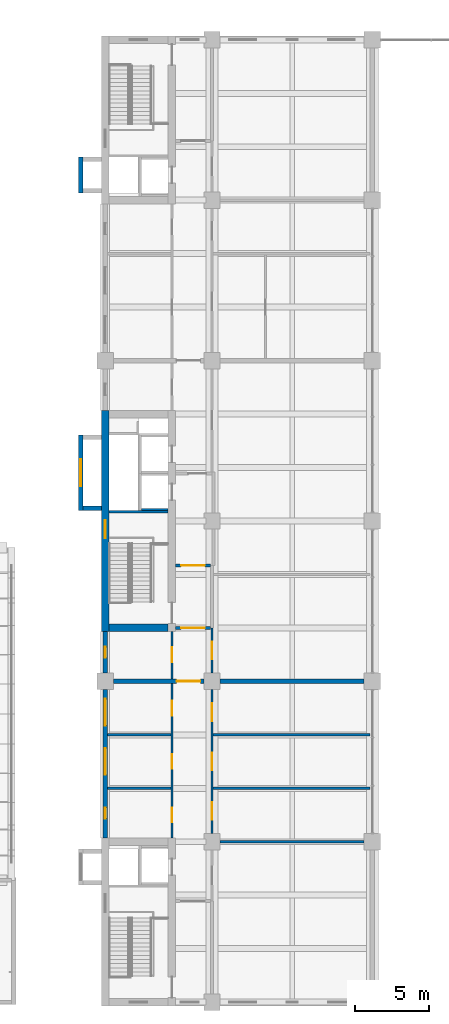
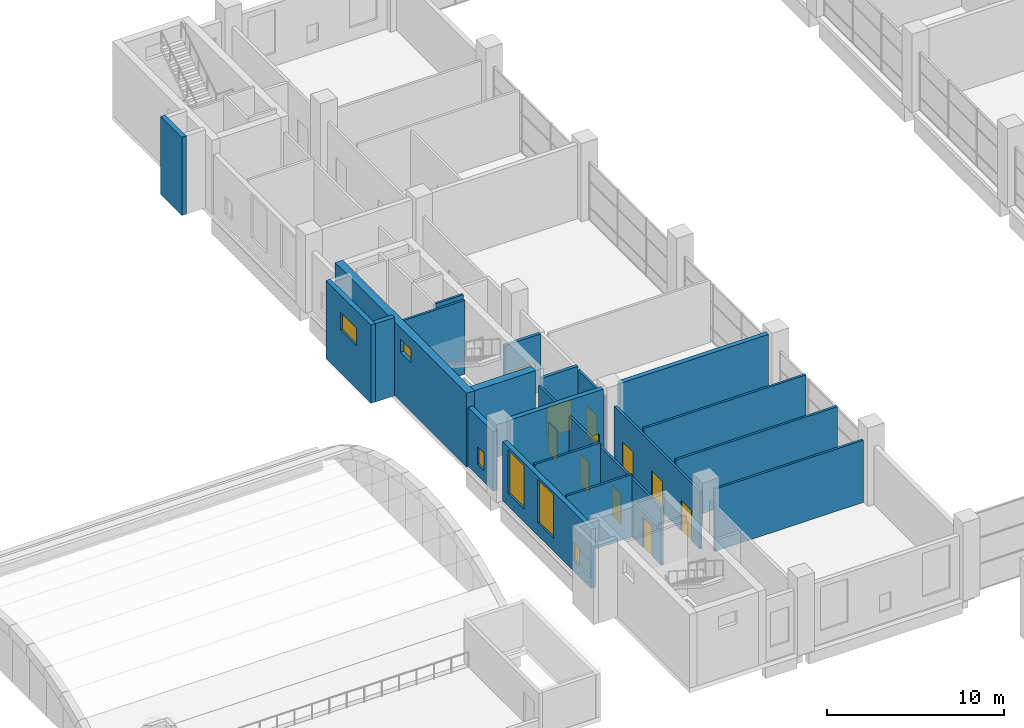
# One storey, part 17 of 32: 22 walls, 11 doors, 6 windows, 17 openings.
"""IFC4 building model written with IfcOpenShell, lengths in metres."""

from ifc_helpers import new_model, si_unit, direction, frame, frame_2d, origin, place, context, subcontext, project, spatial, rectangle, extrude, material, layer, layer_set, type_object, element, fill, save


model = new_model("IFC4")

# Units and contexts
model_context = context("Model", 3, precision=1e-05, world=origin(), true_north=direction((0.0, 1.0)))
body_context = subcontext(model_context, "Body", "Model", "MODEL_VIEW")
ifc_project = project(units=[si_unit("LENGTHUNIT", "METRE"), si_unit("AREAUNIT", "SQUARE_METRE"), si_unit("VOLUMEUNIT", "CUBIC_METRE"), si_unit("PLANEANGLEUNIT", "RADIAN"), si_unit("MASSUNIT", "GRAM", prefix="KILO")], contexts=[model_context])

# Site, building, storey
site_placement = place(None, origin())
site = spatial("IfcSite", under=ifc_project, at=site_placement, CompositionType="ELEMENT")
building_placement = place(site_placement, origin())
building = spatial("IfcBuilding", under=site, at=building_placement, Name="Basin Gate Institute", CompositionType="ELEMENT")
storey_placement = place(building_placement, frame((0.0, 0.0, 11.39990234375)))
storey = spatial("IfcBuildingStorey", under=building, at=storey_placement, Name="L02", CompositionType="ELEMENT", Elevation=11.39990234375)

# Wall, opening, door
ifc_material_1 = material(Name="Fire-rated masonry", Category="masonry")
ifc_layer_1 = layer(ifc_material_1, 0.199951171875)
ifc_layer_set_1 = layer_set([ifc_layer_1], Name="Enclosure wall PW2 200 EI 60")
wall_type_1 = type_object("IfcWallType", Name="Enclosure wall PW2 200 EI 60", PredefinedType="PARTITIONING", material=ifc_layer_set_1)
wall_1_placement = place(storey_placement, frame((65.949951171875, 60.300048828125, 0.0), z_axis=(0.0, 0.0, 1.0), x_axis=(1.0, 0.0, 0.0)))
wall_1 = element("IfcWall", 1, at=wall_1_placement, inside=storey, type_object=wall_type_1, material=ifc_layer_set_1, Name="Smoke lobby enclosure wall PW2 L02", PredefinedType="PARTITIONING", context=body_context, shape_type="SweptSolid", body=[
    extrude(rectangle(XDim=2.35009765625, YDim=0.199951171875, at=frame_2d((1.175048828125, 0.0))), origin(), (0.0, 0.0, 1.0), 4.300048828125),
])
opening_1_placement = place(wall_1_placement, frame((0.375, 0.0, 0.0)))
opening_1 = element("IfcOpeningElement", 2, at=opening_1_placement, cuts=wall_1, Name="Opening DR143", PredefinedType="OPENING", context=body_context, shape_type="SweptSolid", body=[
    extrude(rectangle(XDim=1.60009765625, YDim=2.10009765625, at=frame_2d((0.800048828125, 1.050048828125))), frame((0.0, 0.10986328125, 0.0), z_axis=(0.0, -1.0, 0.0), x_axis=(1.0, 0.0, 0.0)), (0.0, 0.0, 1.0), 0.219970703125),
])
ifc_material_2 = material(Name="Steel fire door", Category="steel")
door_type_1 = type_object("IfcDoorType", Name="FD60 Smoke lobby door pair D8", OperationType="DOUBLE_DOOR_SINGLE_SWING", PredefinedType="DOOR", material=ifc_material_2)
door_1_placement = place(opening_1_placement, origin())
door_1 = element("IfcDoor", 3, at=door_1_placement, inside=storey, type_object=door_type_1, material=ifc_material_2, Name="Smoke lobby door SS2 L02", OperationType="DOUBLE_DOOR_SINGLE_SWING", OverallHeight=2.10009765625, OverallWidth=1.60009765625, PredefinedType="DOOR", context=body_context, shape_type="SweptSolid", body=[
    extrude(rectangle(XDim=1.60009765625, YDim=2.10009765625, at=frame_2d((0.800048828125, 1.050048828125))), frame((0.0, 0.02490234375, 0.0), z_axis=(0.0, -1.0, 0.0), x_axis=(1.0, 0.0, 0.0)), (0.0, 0.0, 1.0), 0.050048828125),
])
fill(opening_1, door_1)

wall_2_placement = place(storey_placement, frame((65.949951171875, 64.5, 0.0), z_axis=(0.0, 0.0, 1.0), x_axis=(1.0, 0.0, 0.0)))
wall_2 = element("IfcWall", 4, at=wall_2_placement, inside=storey, type_object=wall_type_1, material=ifc_layer_set_1, Name="Smoke lobby enclosure wall PW2 L02", PredefinedType="PARTITIONING", context=body_context, shape_type="SweptSolid", body=[
    extrude(rectangle(XDim=2.35009765625, YDim=0.199951171875, at=frame_2d((1.175048828125, 0.0))), origin(), (0.0, 0.0, 1.0), 4.0),
])
opening_2_placement = place(wall_2_placement, frame((0.375, 0.0, 0.0)))
opening_2 = element("IfcOpeningElement", 5, at=opening_2_placement, cuts=wall_2, Name="Opening DR144", PredefinedType="OPENING", context=body_context, shape_type="SweptSolid", body=[
    extrude(rectangle(XDim=1.60009765625, YDim=2.10009765625, at=frame_2d((0.800048828125, 1.050048828125))), frame((0.0, 0.10986328125, 0.0), z_axis=(0.0, -1.0, 0.0), x_axis=(1.0, 0.0, 0.0)), (0.0, 0.0, 1.0), 0.219970703125),
])
door_2_placement = place(opening_2_placement, frame((1.60009765625, 0.0, 0.0), z_axis=(0.0, 0.0, 1.0), x_axis=(-1.0, 0.0, 0.0)))
door_2 = element("IfcDoor", 6, at=door_2_placement, inside=storey, type_object=door_type_1, material=ifc_material_2, Name="Smoke lobby door SS2 L02", OperationType="DOUBLE_DOOR_SINGLE_SWING", OverallHeight=2.10009765625, OverallWidth=1.60009765625, PredefinedType="DOOR", context=body_context, shape_type="SweptSolid", body=[
    extrude(rectangle(XDim=1.60009765625, YDim=2.10009765625, at=frame_2d((0.800048828125, 1.050048828125))), frame((0.0, 0.02490234375, 0.0), z_axis=(0.0, -1.0, 0.0), x_axis=(1.0, 0.0, 0.0)), (0.0, 0.0, 1.0), 0.050048828125),
])
fill(opening_2, door_2)

# Wall, openings, windows
ifc_material_3 = material(Name="Aluminium-faced insulated panel wall", Category="aluminium")
ifc_layer_2 = layer(ifc_material_3, 0.300048828125)
ifc_layer_set_2 = layer_set([ifc_layer_2], Name="External wall EW1 EI 120")
wall_type_2 = type_object("IfcWallType", Name="External wall EW1 EI 120", PredefinedType="STANDARD", material=ifc_layer_set_2)
wall_3_placement = place(storey_placement, frame((61.199951171875, 46.14990234375, 0.0), z_axis=(0.0, 0.0, 1.0), x_axis=(0.0, 1.0, 0.0)))
wall_3 = element("IfcWall", 7, at=wall_3_placement, inside=storey, type_object=wall_type_2, material=ifc_layer_set_2, Name="External wall W facade L02 1", PredefinedType="STANDARD", context=body_context, shape_type="SweptSolid", body=[
    extrude(rectangle(XDim=10.0, YDim=0.300048828125, at=frame_2d((5.0, 0.0))), origin(), (0.0, 0.0, 1.0), 4.10009765625),
])
opening_3_placement = place(wall_3_placement, frame((1.300048828125, 0.0, 0.800048828125)))
opening_3 = element("IfcOpeningElement", 8, at=opening_3_placement, cuts=wall_3, Name="Opening WN3", PredefinedType="OPENING", context=body_context, shape_type="SweptSolid", body=[
    extrude(rectangle(XDim=0.75, YDim=1.199951171875, at=frame_2d((0.375, 0.60009765625))), frame((0.0, 0.16015625, 0.0), z_axis=(0.0, -1.0, 0.0), x_axis=(1.0, 0.0, 0.0)), (0.0, 0.0, 1.0), 0.320068359375),
])
opening_4_placement = place(wall_3_placement, frame((4.25, 0.0, 0.89990234375)))
opening_4 = element("IfcOpeningElement", 9, at=opening_4_placement, cuts=wall_3, Name="Opening WN2", PredefinedType="OPENING", context=body_context, shape_type="SweptSolid", body=[
    extrude(rectangle(XDim=1.800048828125, YDim=3.0, at=frame_2d((0.89990234375, 1.5))), frame((0.0, 0.16015625, 0.0), z_axis=(0.0, -1.0, 0.0), x_axis=(1.0, 0.0, 0.0)), (0.0, 0.0, 1.0), 0.320068359375),
])
opening_5_placement = place(wall_3_placement, frame((7.574951171875, 0.0, 0.89990234375)))
opening_5 = element("IfcOpeningElement", 10, at=opening_5_placement, cuts=wall_3, Name="Opening WN2", PredefinedType="OPENING", context=body_context, shape_type="SweptSolid", body=[
    extrude(rectangle(XDim=1.800048828125, YDim=3.0, at=frame_2d((0.89990234375, 1.5))), frame((0.0, 0.16015625, 0.0), z_axis=(0.0, -1.0, 0.0), x_axis=(1.0, 0.0, 0.0)), (0.0, 0.0, 1.0), 0.320068359375),
])
ifc_material_4 = material(Name="Aluminium-framed double glazing", Category="aluminium")
window_type_1 = type_object("IfcWindowType", Name="Emergency entry panel WN3", PartitioningType="SINGLE_PANEL", PredefinedType="WINDOW", material=ifc_material_4)
window_1_placement = place(opening_3_placement, origin())
window_1 = element("IfcWindow", 11, at=window_1_placement, inside=storey, type_object=window_type_1, material=ifc_material_4, Name="Emergency entry panel W facade L02 bay 4", OverallHeight=1.199951171875, OverallWidth=0.75, PartitioningType="SINGLE_PANEL", PredefinedType="WINDOW", context=body_context, shape_type="SweptSolid", body=[
    extrude(rectangle(XDim=0.75, YDim=1.199951171875, at=frame_2d((0.375, 0.60009765625))), frame((0.0, 0.030029296875, 0.0), z_axis=(0.0, -1.0, 0.0), x_axis=(1.0, 0.0, 0.0)), (0.0, 0.0, 1.0), 0.06005859375),
])
fill(opening_3, window_1)
ifc_material_5 = material(Name="Aluminium-framed double glazing", Category="aluminium")
window_type_2 = type_object("IfcWindowType", Name="Podium window WN2", PartitioningType="SINGLE_PANEL", PredefinedType="WINDOW", material=ifc_material_5)
window_2_placement = place(opening_4_placement, origin())
window_2 = element("IfcWindow", 12, at=window_2_placement, inside=storey, type_object=window_type_2, material=ifc_material_5, Name="Podium window W facade L02 bay 5", OverallHeight=3.0, OverallWidth=1.800048828125, PartitioningType="SINGLE_PANEL", PredefinedType="WINDOW", context=body_context, shape_type="SweptSolid", body=[
    extrude(rectangle(XDim=1.800048828125, YDim=3.0, at=frame_2d((0.89990234375, 1.5))), frame((0.0, 0.030029296875, 0.0), z_axis=(0.0, -1.0, 0.0), x_axis=(1.0, 0.0, 0.0)), (0.0, 0.0, 1.0), 0.06005859375),
])
fill(opening_4, window_2)
window_3_placement = place(opening_5_placement, origin())
window_3 = element("IfcWindow", 13, at=window_3_placement, inside=storey, type_object=window_type_2, material=ifc_material_5, Name="Podium window W facade L02 bay 6", OverallHeight=3.0, OverallWidth=1.800048828125, PartitioningType="SINGLE_PANEL", PredefinedType="WINDOW", context=body_context, shape_type="SweptSolid", body=[
    extrude(rectangle(XDim=1.800048828125, YDim=3.0, at=frame_2d((0.89990234375, 1.5))), frame((0.0, 0.030029296875, 0.0), z_axis=(0.0, -1.0, 0.0), x_axis=(1.0, 0.0, 0.0)), (0.0, 0.0, 1.0), 0.06005859375),
])
fill(opening_5, window_3)

# Wall, opening, window
wall_4_placement = place(storey_placement, frame((61.199951171875, 57.25, 0.0), z_axis=(0.0, 0.0, 1.0), x_axis=(0.0, 1.0, 0.0)))
wall_4 = element("IfcWall", 14, at=wall_4_placement, inside=storey, type_object=wall_type_2, material=ifc_layer_set_2, Name="External wall W facade L02 2", PredefinedType="STANDARD", context=body_context, shape_type="SweptSolid", body=[
    extrude(rectangle(XDim=2.800048828125, YDim=0.300048828125, at=frame_2d((1.39990234375, 0.0))), origin(), (0.0, 0.0, 1.0), 4.10009765625),
])
opening_6_placement = place(wall_4_placement, frame((1.02490234375, 0.0, 0.800048828125)))
opening_6 = element("IfcOpeningElement", 15, at=opening_6_placement, cuts=wall_4, Name="Opening WN3", PredefinedType="OPENING", context=body_context, shape_type="SweptSolid", body=[
    extrude(rectangle(XDim=0.75, YDim=1.199951171875, at=frame_2d((0.375, 0.60009765625))), frame((0.0, 0.16015625, 0.0), z_axis=(0.0, -1.0, 0.0), x_axis=(1.0, 0.0, 0.0)), (0.0, 0.0, 1.0), 0.320068359375),
])
window_4_placement = place(opening_6_placement, origin())
window_4 = element("IfcWindow", 16, at=window_4_placement, inside=storey, type_object=window_type_1, material=ifc_material_4, Name="Emergency entry panel W facade L02 bay 7", OverallHeight=1.199951171875, OverallWidth=0.75, PartitioningType="SINGLE_PANEL", PredefinedType="WINDOW", context=body_context, shape_type="SweptSolid", body=[
    extrude(rectangle(XDim=0.75, YDim=1.199951171875, at=frame_2d((0.375, 0.60009765625))), frame((0.0, 0.030029296875, 0.0), z_axis=(0.0, -1.0, 0.0), x_axis=(1.0, 0.0, 0.0)), (0.0, 0.0, 1.0), 0.06005859375),
])
fill(opening_6, window_4)

# Wall, openings, doors
ifc_material_6 = material(Name="Gypsum board on steel stud", Category="steel")
ifc_layer_3 = layer(ifc_material_6, 0.14990234375)
ifc_layer_set_3 = layer_set([ifc_layer_3], Name="Gypsum board on steel stud")
wall_type_3 = type_object("IfcWallType", Name="Partition PW1 150 EI 60", PredefinedType="PARTITIONING", material=ifc_layer_set_3)
wall_5_placement = place(storey_placement, frame((65.699951171875, 46.14990234375, 0.0), z_axis=(0.0, 0.0, 1.0), x_axis=(0.0, 1.0, 0.0)))
wall_5 = element("IfcWall", 17, at=wall_5_placement, inside=storey, type_object=wall_type_3, material=ifc_layer_set_3, Name="Corridor wall PW1 L02", PredefinedType="PARTITIONING", context=body_context, shape_type="SweptSolid", body=[
    extrude(rectangle(XDim=10.400146484375, YDim=0.14990234375, at=frame_2d((5.2001953125, 0.0))), origin(), (0.0, 0.0, 1.0), 4.0),
])
opening_7_placement = place(wall_5_placement, frame((4.64990234375, 0.0, 0.0)))
opening_7 = element("IfcOpeningElement", 18, at=opening_7_placement, cuts=wall_5, Name="Opening DR125", PredefinedType="OPENING", context=body_context, shape_type="SweptSolid", body=[
    extrude(rectangle(XDim=1.0, YDim=2.10009765625, at=frame_2d((0.5, 1.050048828125))), frame((0.0, 0.0849609375, 0.0), z_axis=(0.0, -1.0, 0.0), x_axis=(1.0, 0.0, 0.0)), (0.0, 0.0, 1.0), 0.169921875),
])
opening_8_placement = place(wall_5_placement, frame((8.25, 0.0, 0.0)))
opening_8 = element("IfcOpeningElement", 19, at=opening_8_placement, cuts=wall_5, Name="Opening DR126", PredefinedType="OPENING", context=body_context, shape_type="SweptSolid", body=[
    extrude(rectangle(XDim=1.0, YDim=2.10009765625, at=frame_2d((0.5, 1.050048828125))), frame((0.0, 0.0849609375, 0.0), z_axis=(0.0, -1.0, 0.0), x_axis=(1.0, 0.0, 0.0)), (0.0, 0.0, 1.0), 0.169921875),
])
opening_9_placement = place(wall_5_placement, frame((1.050048828125, 0.0, 0.0)))
opening_9 = element("IfcOpeningElement", 20, at=opening_9_placement, cuts=wall_5, Name="Opening DR135", PredefinedType="OPENING", context=body_context, shape_type="SweptSolid", body=[
    extrude(rectangle(XDim=1.0, YDim=2.10009765625, at=frame_2d((0.5, 1.050048828125))), frame((0.0, 0.0849609375, 0.0), z_axis=(0.0, -1.0, 0.0), x_axis=(1.0, 0.0, 0.0)), (0.0, 0.0, 1.0), 0.169921875),
])
ifc_material_7 = material(Name="Timber fire door", Category="wood")
door_type_2 = type_object("IfcDoorType", Name="FD30 Office door D1", OperationType="NOTDEFINED", PredefinedType="DOOR", material=ifc_material_7)
door_3_placement = place(opening_9_placement, origin())
door_3 = element("IfcDoor", 21, at=door_3_placement, inside=storey, type_object=door_type_2, material=ifc_material_7, Name="Door to Write-up Office 0201 L02", OperationType="SINGLE_SWING_LEFT", OverallHeight=2.10009765625, OverallWidth=1.0, PredefinedType="DOOR", context=body_context, shape_type="SweptSolid", body=[
    extrude(rectangle(XDim=1.0, YDim=2.10009765625, at=frame_2d((0.5, 1.050048828125))), frame((0.0, 0.02490234375, 0.0), z_axis=(0.0, -1.0, 0.0), x_axis=(1.0, 0.0, 0.0)), (0.0, 0.0, 1.0), 0.050048828125),
])
fill(opening_9, door_3)
ifc_material_8 = material(Name="Steel fire door", Category="steel")
door_type_3 = type_object("IfcDoorType", Name="FD30 Store door D4", OperationType="NOTDEFINED", PredefinedType="DOOR", material=ifc_material_8)
door_4_placement = place(opening_8_placement, origin())
door_4 = element("IfcDoor", 22, at=door_4_placement, inside=storey, type_object=door_type_3, material=ifc_material_8, Name="Door to Cleaning Store L02", OperationType="SINGLE_SWING_RIGHT", OverallHeight=2.10009765625, OverallWidth=1.0, PredefinedType="DOOR", context=body_context, shape_type="SweptSolid", body=[
    extrude(rectangle(XDim=1.0, YDim=2.10009765625, at=frame_2d((0.5, 1.050048828125))), frame((0.0, 0.02490234375, 0.0), z_axis=(0.0, -1.0, 0.0), x_axis=(1.0, 0.0, 0.0)), (0.0, 0.0, 1.0), 0.050048828125),
])
fill(opening_8, door_4)
ifc_material_9 = material(Name="Timber fire door", Category="wood")
door_type_4 = type_object("IfcDoorType", Name="FD30 Toilet door D3", OperationType="NOTDEFINED", PredefinedType="DOOR", material=ifc_material_9)
door_5_placement = place(opening_7_placement, origin())
door_5 = element("IfcDoor", 23, at=door_5_placement, inside=storey, type_object=door_type_4, material=ifc_material_9, Name="Door to Accessible WC L02", OperationType="SINGLE_SWING_LEFT", OverallHeight=2.10009765625, OverallWidth=1.0, PredefinedType="DOOR", context=body_context, shape_type="SweptSolid", body=[
    extrude(rectangle(XDim=1.0, YDim=2.10009765625, at=frame_2d((0.5, 1.050048828125))), frame((0.0, 0.02490234375, 0.0), z_axis=(0.0, -1.0, 0.0), x_axis=(1.0, 0.0, 0.0)), (0.0, 0.0, 1.0), 0.050048828125),
])
fill(opening_7, door_5)

# Wall, opening, door
wall_6_placement = place(storey_placement, frame((65.699951171875, 56.85009765625, 0.0), z_axis=(0.0, 0.0, 1.0), x_axis=(0.0, 1.0, 0.0)))
wall_6 = element("IfcWall", 24, at=wall_6_placement, inside=storey, type_object=wall_type_3, material=ifc_layer_set_3, Name="Corridor wall PW1 L02", PredefinedType="PARTITIONING", context=body_context, shape_type="SweptSolid", body=[
    extrude(rectangle(XDim=3.199951171875, YDim=0.14990234375, at=frame_2d((1.60009765625, 0.0))), origin(), (0.0, 0.0, 1.0), 4.0),
])
opening_10_placement = place(wall_6_placement, frame((1.14990234375, 0.0, 0.0)))
opening_10 = element("IfcOpeningElement", 25, at=opening_10_placement, cuts=wall_6, Name="Opening DR128", PredefinedType="OPENING", context=body_context, shape_type="SweptSolid", body=[
    extrude(rectangle(XDim=1.0, YDim=2.10009765625, at=frame_2d((0.5, 1.050048828125))), frame((0.0, 0.0849609375, 0.0), z_axis=(0.0, -1.0, 0.0), x_axis=(1.0, 0.0, 0.0)), (0.0, 0.0, 1.0), 0.169921875),
])
door_6_placement = place(opening_10_placement, origin())
door_6 = element("IfcDoor", 26, at=door_6_placement, inside=storey, type_object=door_type_4, material=ifc_material_9, Name="Door to Female WC L02", OperationType="SINGLE_SWING_RIGHT", OverallHeight=2.10009765625, OverallWidth=1.0, PredefinedType="DOOR", context=body_context, shape_type="SweptSolid", body=[
    extrude(rectangle(XDim=1.0, YDim=2.10009765625, at=frame_2d((0.5, 1.050048828125))), frame((0.0, 0.02490234375, 0.0), z_axis=(0.0, -1.0, 0.0), x_axis=(1.0, 0.0, 0.0)), (0.0, 0.0, 1.0), 0.050048828125),
])
fill(opening_10, door_6)

# Wall, openings, doors
wall_7_placement = place(storey_placement, frame((68.39990234375, 46.449951171875, 0.0), z_axis=(0.0, 0.0, 1.0), x_axis=(0.0, 1.0, 0.0)))
wall_7 = element("IfcWall", 27, at=wall_7_placement, inside=storey, type_object=wall_type_3, material=ifc_layer_set_3, Name="Laboratory corridor wall PW1 L02", PredefinedType="PARTITIONING", context=body_context, shape_type="SweptSolid", body=[
    extrude(rectangle(XDim=9.699951171875, YDim=0.14990234375, at=frame_2d((4.85009765625, 0.0))), origin(), (0.0, 0.0, 1.0), 4.0),
])
opening_11_placement = place(wall_7_placement, frame((4.25, 0.0, 0.0)))
opening_11 = element("IfcOpeningElement", 28, at=opening_11_placement, cuts=wall_7, Name="Opening DR130", PredefinedType="OPENING", context=body_context, shape_type="SweptSolid", body=[
    extrude(rectangle(XDim=1.199951171875, YDim=2.10009765625, at=frame_2d((0.60009765625, 1.050048828125))), frame((0.0, 0.0849609375, 0.0), z_axis=(0.0, -1.0, 0.0), x_axis=(1.0, 0.0, 0.0)), (0.0, 0.0, 1.0), 0.169921875),
])
opening_12_placement = place(wall_7_placement, frame((0.925048828125, 0.0, 0.0)))
opening_12 = element("IfcOpeningElement", 29, at=opening_12_placement, cuts=wall_7, Name="Opening DR139", PredefinedType="OPENING", context=body_context, shape_type="SweptSolid", body=[
    extrude(rectangle(XDim=1.199951171875, YDim=2.10009765625, at=frame_2d((0.60009765625, 1.050048828125))), frame((0.0, 0.0849609375, 0.0), z_axis=(0.0, -1.0, 0.0), x_axis=(1.0, 0.0, 0.0)), (0.0, 0.0, 1.0), 0.169921875),
])
opening_13_placement = place(wall_7_placement, frame((7.574951171875, 0.0, 0.0)))
opening_13 = element("IfcOpeningElement", 30, at=opening_13_placement, cuts=wall_7, Name="Opening DR140", PredefinedType="OPENING", context=body_context, shape_type="SweptSolid", body=[
    extrude(rectangle(XDim=1.199951171875, YDim=2.10009765625, at=frame_2d((0.60009765625, 1.050048828125))), frame((0.0, 0.0849609375, 0.0), z_axis=(0.0, -1.0, 0.0), x_axis=(1.0, 0.0, 0.0)), (0.0, 0.0, 1.0), 0.169921875),
])
ifc_material_10 = material(Name="Timber fire door", Category="wood")
door_type_5 = type_object("IfcDoorType", Name="FD30 Laboratory door D2", OperationType="DOUBLE_DOOR_SINGLE_SWING", PredefinedType="DOOR", material=ifc_material_10)
door_7_placement = place(opening_11_placement, frame((1.199951171875, 0.0, 0.0), z_axis=(0.0, 0.0, 1.0), x_axis=(-1.0, 0.0, 0.0)))
door_7 = element("IfcDoor", 31, at=door_7_placement, inside=storey, type_object=door_type_5, material=ifc_material_10, Name="Door to Meeting Room 0218 L02", OperationType="DOUBLE_DOOR_SINGLE_SWING", OverallHeight=2.10009765625, OverallWidth=1.199951171875, PredefinedType="DOOR", context=body_context, shape_type="SweptSolid", body=[
    extrude(rectangle(XDim=1.199951171875, YDim=2.10009765625, at=frame_2d((0.60009765625, 1.050048828125))), frame((0.0, 0.02490234375, 0.0), z_axis=(0.0, -1.0, 0.0), x_axis=(1.0, 0.0, 0.0)), (0.0, 0.0, 1.0), 0.050048828125),
])
fill(opening_11, door_7)
door_8_placement = place(opening_12_placement, frame((1.199951171875, 0.0, 0.0), z_axis=(0.0, 0.0, 1.0), x_axis=(-1.0, 0.0, 0.0)))
door_8 = element("IfcDoor", 32, at=door_8_placement, inside=storey, type_object=door_type_5, material=ifc_material_10, Name="Door to Write-up Office 0217 L02", OperationType="DOUBLE_DOOR_SINGLE_SWING", OverallHeight=2.10009765625, OverallWidth=1.199951171875, PredefinedType="DOOR", context=body_context, shape_type="SweptSolid", body=[
    extrude(rectangle(XDim=1.199951171875, YDim=2.10009765625, at=frame_2d((0.60009765625, 1.050048828125))), frame((0.0, 0.02490234375, 0.0), z_axis=(0.0, -1.0, 0.0), x_axis=(1.0, 0.0, 0.0)), (0.0, 0.0, 1.0), 0.050048828125),
])
fill(opening_12, door_8)
door_9_placement = place(opening_13_placement, frame((1.199951171875, 0.0, 0.0), z_axis=(0.0, 0.0, 1.0), x_axis=(-1.0, 0.0, 0.0)))
door_9 = element("IfcDoor", 33, at=door_9_placement, inside=storey, type_object=door_type_5, material=ifc_material_10, Name="Door to Write-up Office 0219 L02", OperationType="DOUBLE_DOOR_SINGLE_SWING", OverallHeight=2.10009765625, OverallWidth=1.199951171875, PredefinedType="DOOR", context=body_context, shape_type="SweptSolid", body=[
    extrude(rectangle(XDim=1.199951171875, YDim=2.10009765625, at=frame_2d((0.60009765625, 1.050048828125))), frame((0.0, 0.02490234375, 0.0), z_axis=(0.0, -1.0, 0.0), x_axis=(1.0, 0.0, 0.0)), (0.0, 0.0, 1.0), 0.050048828125),
])
fill(opening_13, door_9)

# Wall, opening, door
wall_8_placement = place(storey_placement, frame((68.39990234375, 57.25, 0.0), z_axis=(0.0, 0.0, 1.0), x_axis=(0.0, 1.0, 0.0)))
wall_8 = element("IfcWall", 34, at=wall_8_placement, inside=storey, type_object=wall_type_3, material=ifc_layer_set_3, Name="Laboratory corridor wall PW1 L02", PredefinedType="PARTITIONING", context=body_context, shape_type="SweptSolid", body=[
    extrude(rectangle(XDim=3.050048828125, YDim=0.14990234375, at=frame_2d((1.52490234375, 0.0))), origin(), (0.0, 0.0, 1.0), 4.0),
])
opening_14_placement = place(wall_8_placement, frame((0.925048828125, 0.0, 0.0)))
opening_14 = element("IfcOpeningElement", 35, at=opening_14_placement, cuts=wall_8, Name="Opening DR133", PredefinedType="OPENING", context=body_context, shape_type="SweptSolid", body=[
    extrude(rectangle(XDim=1.199951171875, YDim=2.10009765625, at=frame_2d((0.60009765625, 1.050048828125))), frame((0.0, 0.0849609375, 0.0), z_axis=(0.0, -1.0, 0.0), x_axis=(1.0, 0.0, 0.0)), (0.0, 0.0, 1.0), 0.169921875),
])
door_10_placement = place(opening_14_placement, frame((1.199951171875, 0.0, 0.0), z_axis=(0.0, 0.0, 1.0), x_axis=(-1.0, 0.0, 0.0)))
door_10 = element("IfcDoor", 36, at=door_10_placement, inside=storey, type_object=door_type_5, material=ifc_material_10, Name="Door to Seminar Room 0220 L02", OperationType="DOUBLE_DOOR_SINGLE_SWING", OverallHeight=2.10009765625, OverallWidth=1.199951171875, PredefinedType="DOOR", context=body_context, shape_type="SweptSolid", body=[
    extrude(rectangle(XDim=1.199951171875, YDim=2.10009765625, at=frame_2d((0.60009765625, 1.050048828125))), frame((0.0, 0.02490234375, 0.0), z_axis=(0.0, -1.0, 0.0), x_axis=(1.0, 0.0, 0.0)), (0.0, 0.0, 1.0), 0.050048828125),
])
fill(opening_14, door_10)

# Walls
wall_9_placement = place(storey_placement, frame((68.949951171875, 45.89990234375, 0.0), z_axis=(0.0, 0.0, 1.0), x_axis=(1.0, 0.0, 0.0)))
element("IfcWall", 37, at=wall_9_placement, inside=storey, type_object=wall_type_3, material=ifc_layer_set_3, Name="Laboratory partition PW1 L02", PredefinedType="PARTITIONING", context=body_context, shape_type="SweptSolid", body=[
    extrude(rectangle(XDim=9.699951171875, YDim=0.14990234375, at=frame_2d((4.85009765625, 0.0))), origin(), (0.0, 0.0, 1.0), 4.300048828125),
])
for number, where, z_axis, x_axis, name in (
    (38, (68.47509765625, 49.5, 0.0), (0.0, 0.0, 1.0), (1.0, 0.0, 0.0), "Laboratory partition PW1 L02"),
    (39, (68.47509765625, 53.10009765625, 0.0), (0.0, 0.0, 1.0), (1.0, 0.0, 0.0), "Laboratory partition PW1 L02"),
):
    element("IfcWall", number, at=place(storey_placement, frame(where, z_axis=z_axis, x_axis=x_axis)), inside=storey, type_object=wall_type_3, material=ifc_layer_set_3, Name=name, PredefinedType="PARTITIONING", context=body_context, shape_type="SweptSolid", body=[
        extrude(rectangle(XDim=10.574951171875, YDim=0.14990234375, at=frame_2d((5.28759765625, 0.0))), origin(), (0.0, 0.0, 1.0), 4.300048828125),
    ])
ifc_material_11 = material(Name="Gypsum board on steel stud", Category="steel")
ifc_layer_4 = layer(ifc_material_11, 0.14990234375)
ifc_layer_set_4 = layer_set([ifc_layer_4], Name="Gypsum board on steel stud")
wall_type_4 = type_object("IfcWallType", Name="Partition PW4 150", PredefinedType="PARTITIONING", material=ifc_layer_set_4)
for number, where, z_axis, x_axis, name in (
    (40, (61.35009765625, 49.5, 0.0), (0.0, 0.0, 1.0), (1.0, 0.0, 0.0), "Toilet partition PW4 L02"),
    (41, (61.35009765625, 53.10009765625, 0.0), (0.0, 0.0, 1.0), (1.0, 0.0, 0.0), "Toilet partition PW4 L02"),
):
    element("IfcWall", number, at=place(storey_placement, frame(where, z_axis=z_axis, x_axis=x_axis)), inside=storey, type_object=wall_type_4, material=ifc_layer_set_4, Name=name, PredefinedType="PARTITIONING", context=body_context, shape_type="SweptSolid", body=[
        extrude(rectangle(XDim=4.27490234375, YDim=0.14990234375, at=frame_2d((2.137451171875, 0.0))), origin(), (0.0, 0.0, 1.0), 4.300048828125),
    ])
ifc_material_12 = material(Name="Concrete 40 MPa", Category="concrete")
ifc_layer_5 = layer(ifc_material_12, 0.14990234375)
ifc_layer_set_5 = layer_set([ifc_layer_5], Name="Concrete 40 MPa")
wall_type_5 = type_object("IfcWallType", Name="Wall LS1 lift shaft enclosure R180", PredefinedType="SOLIDWALL", material=ifc_layer_set_5)
wall_10_placement = place(storey_placement, frame((63.64990234375, 68.27490234375, 0.0), z_axis=(0.0, 0.0, 1.0), x_axis=(1.0, 0.0, 0.0)))
element("IfcWall", 42, at=wall_10_placement, inside=storey, type_object=wall_type_5, material=ifc_layer_set_5, Name="Lift shaft enclosure LF1 L02 RL", PredefinedType="SOLIDWALL", context=body_context, shape_type="SweptSolid", body=[
    extrude(rectangle(XDim=1.800048828125, YDim=0.14990234375, at=frame_2d((0.89990234375, 0.0))), origin(), (0.0, 0.0, 1.0), 5.400146484375),
])
ifc_material_13 = material(Name="Concrete 40 MPa", Category="concrete")
ifc_layer_6 = layer(ifc_material_13, 0.14990234375)
ifc_layer_set_6 = layer_set([ifc_layer_6], Name="Concrete 40 MPa")
wall_type_6 = type_object("IfcWallType", Name="Wall SE1 stair enclosure R180", PredefinedType="SOLIDWALL", material=ifc_layer_set_6)
wall_11_placement = place(storey_placement, frame((61.449951171875, 68.125, 0.0), z_axis=(0.0, 0.0, 1.0), x_axis=(1.0, 0.0, 0.0)))
element("IfcWall", 43, at=wall_11_placement, inside=storey, type_object=wall_type_6, material=ifc_layer_set_6, Name="Stair enclosure wall ST-WM L02", PredefinedType="SOLIDWALL", context=body_context, shape_type="SweptSolid", body=[
    extrude(rectangle(XDim=4.0, YDim=0.14990234375, at=frame_2d((2.0, 0.0))), origin(), (0.0, 0.0, 1.0), 5.10009765625),
])

# Wall, opening, window
ifc_material_14 = material(Name="Concrete 50 MPa", Category="concrete")
ifc_layer_7 = layer(ifc_material_14, 0.300048828125)
ifc_layer_set_7 = layer_set([ifc_layer_7], Name="Concrete 50 MPa")
wall_type_7 = type_object("IfcWallType", Name="Wall SK1 R180", PredefinedType="SHEAR", material=ifc_layer_set_7)
wall_12_placement = place(storey_placement, frame((59.550048828125, 68.199951171875, 0.0), z_axis=(0.0, 0.0, 1.0), x_axis=(0.0, 1.0, 0.0)))
wall_12 = element("IfcWall", 44, at=wall_12_placement, inside=storey, type_object=wall_type_7, material=ifc_layer_set_7, Name="Spine riser stack wall SK1 WM F L02", PredefinedType="SHEAR", context=body_context, shape_type="SweptSolid", body=[
    extrude(rectangle(XDim=5.10009765625, YDim=0.300048828125, at=frame_2d((2.550048828125, 0.0))), origin(), (0.0, 0.0, 1.0), 5.400146484375),
])
opening_15_placement = place(wall_12_placement, frame((1.64990234375, 0.0, 3.0)))
opening_15 = element("IfcOpeningElement", 45, at=opening_15_placement, cuts=wall_12, Name="Opening WL1", PredefinedType="OPENING", context=body_context, shape_type="SweptSolid", body=[
    extrude(rectangle(XDim=1.800048828125, YDim=1.199951171875, at=frame_2d((0.89990234375, 0.60009765625))), frame((0.0, 0.16015625, 0.0), z_axis=(0.0, -1.0, 0.0), x_axis=(1.0, 0.0, 0.0)), (0.0, 0.0, 1.0), 0.320068359375),
])
ifc_material_15 = material(Name="Aluminium louvre blades with fire damper", Category="aluminium")
window_type_3 = type_object("IfcWindowType", Name="Riser louvre EI 180 WL1", PartitioningType="SINGLE_PANEL", PredefinedType="WINDOW", material=ifc_material_15)
window_5_placement = place(opening_15_placement, origin())
window_5 = element("IfcWindow", 46, at=window_5_placement, inside=storey, type_object=window_type_3, material=ifc_material_15, Name="Riser louvre EI 180 WM riser 1 L02", OverallHeight=1.199951171875, OverallWidth=1.800048828125, PartitioningType="SINGLE_PANEL", PredefinedType="WINDOW", context=body_context, shape_type="SweptSolid", body=[
    extrude(rectangle(XDim=1.800048828125, YDim=1.199951171875, at=frame_2d((0.89990234375, 0.60009765625))), frame((0.0, 0.030029296875, 0.0), z_axis=(0.0, -1.0, 0.0), x_axis=(1.0, 0.0, 0.0)), (0.0, 0.0, 1.0), 0.06005859375),
])
fill(opening_15, window_5)

# Walls
wall_13_placement = place(storey_placement, frame((60.949951171875, 68.35009765625, 0.0), z_axis=(0.0, 0.0, 1.0), x_axis=(-1.0, 0.0, 0.0)))
element("IfcWall", 47, at=wall_13_placement, inside=storey, type_object=wall_type_7, material=ifc_layer_set_7, Name="Spine riser stack wall SK1 WM A L02", PredefinedType="SHEAR", context=body_context, shape_type="SweptSolid", body=[
    extrude(rectangle(XDim=1.25, YDim=0.300048828125, at=frame_2d((0.625, 0.0))), origin(), (0.0, 0.0, 1.0), 5.400146484375),
])
wall_14_placement = place(storey_placement, frame((59.550048828125, 89.60009765625, 0.0), z_axis=(0.0, 0.0, 1.0), x_axis=(0.0, 1.0, 0.0)))
element("IfcWall", 48, at=wall_14_placement, inside=storey, type_object=wall_type_7, material=ifc_layer_set_7, Name="Spine riser stack wall SK1 WN F L02", PredefinedType="SHEAR", context=body_context, shape_type="SweptSolid", body=[
    extrude(rectangle(XDim=2.39990234375, YDim=0.300048828125, at=frame_2d((1.199951171875, 0.0))), origin(), (0.0, 0.0, 1.0), 5.400146484375),
])

# Wall, opening, window
ifc_material_16 = material(Name="Concrete 60 MPa", Category="concrete")
ifc_layer_8 = layer(ifc_material_16, 0.5)
ifc_layer_set_8 = layer_set([ifc_layer_8], Name="Concrete 60 MPa")
wall_type_8 = type_object("IfcWallType", Name="Wall SW1 R180", PredefinedType="SHEAR", material=ifc_layer_set_8)
wall_15_placement = place(storey_placement, frame((61.199951171875, 60.050048828125, 0.0), z_axis=(0.0, 0.0, 1.0), x_axis=(0.0, 1.0, 0.0)))
wall_15 = element("IfcWall", 49, at=wall_15_placement, inside=storey, type_object=wall_type_8, material=ifc_layer_set_8, Name="WALL/L02/WM/L", PredefinedType="SHEAR", context=body_context, shape_type="SweptSolid", body=[
    extrude(rectangle(XDim=14.89990234375, YDim=0.5, at=frame_2d((7.449951171875, 0.0))), origin(), (0.0, 0.0, 1.0), 5.10009765625),
])
opening_16_placement = place(wall_15_placement, frame((6.300048828125, 0.0, 3.39990234375)))
opening_16 = element("IfcOpeningElement", 50, at=opening_16_placement, cuts=wall_15, Name="Opening WT1", PredefinedType="OPENING", context=body_context, shape_type="SweptSolid", body=[
    extrude(rectangle(XDim=1.199951171875, YDim=0.89990234375, at=frame_2d((0.60009765625, 0.449951171875))), frame((0.0, 0.260009765625, 0.0), z_axis=(0.0, -1.0, 0.0), x_axis=(1.0, 0.0, 0.0)), (0.0, 0.0, 1.0), 0.52001953125),
])
ifc_material_17 = material(Name="Fire-resistant glazing in steel-free frame", Category="steel")
window_type_4 = type_object("IfcWindowType", Name="Rated stair window EI 180 WT1", PartitioningType="SINGLE_PANEL", PredefinedType="WINDOW", material=ifc_material_17)
window_6_placement = place(opening_16_placement, origin())
window_6 = element("IfcWindow", 51, at=window_6_placement, inside=storey, type_object=window_type_4, material=ifc_material_17, Name="Rated stair window EI 180 WM landing L02", OverallHeight=0.89990234375, OverallWidth=1.199951171875, PartitioningType="SINGLE_PANEL", PredefinedType="WINDOW", context=body_context, shape_type="SweptSolid", body=[
    extrude(rectangle(XDim=1.199951171875, YDim=0.89990234375, at=frame_2d((0.60009765625, 0.449951171875))), frame((0.0, 0.030029296875, 0.0), z_axis=(0.0, -1.0, 0.0), x_axis=(1.0, 0.0, 0.0)), (0.0, 0.0, 1.0), 0.06005859375),
])
fill(opening_16, window_6)

# Wall
wall_16_placement = place(storey_placement, frame((61.449951171875, 60.300048828125, 0.0), z_axis=(0.0, 0.0, 1.0), x_axis=(1.0, 0.0, 0.0)))
element("IfcWall", 52, at=wall_16_placement, inside=storey, type_object=wall_type_8, material=ifc_layer_set_8, Name="WALL/L02/WM/S", PredefinedType="SHEAR", context=body_context, shape_type="SweptSolid", body=[
    extrude(rectangle(XDim=4.0, YDim=0.5, at=frame_2d((2.0, 0.0))), origin(), (0.0, 0.0, 1.0), 5.10009765625),
])

# Wall, opening, door
ifc_material_18 = material(Name="Concrete 50 MPa", Category="concrete")
ifc_layer_9 = layer(ifc_material_18, 0.300048828125)
ifc_layer_set_9 = layer_set([ifc_layer_9], Name="Concrete 50 MPa")
wall_type_9 = type_object("IfcWallType", Name="Wall XW1 R180", PredefinedType="SHEAR", material=ifc_layer_set_9)
wall_17_placement = place(storey_placement, frame((61.75, 56.699951171875, 0.0), z_axis=(0.0, 0.0, 1.0), x_axis=(1.0, 0.0, 0.0)))
wall_17 = element("IfcWall", 53, at=wall_17_placement, inside=storey, type_object=wall_type_9, material=ifc_layer_set_9, Name="WALL/L02/WXC/1", PredefinedType="SHEAR", context=body_context, shape_type="SweptSolid", body=[
    extrude(rectangle(XDim=6.10009765625, YDim=0.300048828125, at=frame_2d((3.050048828125, 0.0))), origin(), (0.0, 0.0, 1.0), 5.10009765625),
])
opening_17_placement = place(wall_17_placement, frame((4.262451171875, 0.0, 0.0)))
opening_17 = element("IfcOpeningElement", 54, at=opening_17_placement, cuts=wall_17, Name="Opening DR146", PredefinedType="OPENING", context=body_context, shape_type="SweptSolid", body=[
    extrude(rectangle(XDim=1.60009765625, YDim=2.10009765625, at=frame_2d((0.800048828125, 1.050048828125))), frame((0.0, 0.16015625, 0.0), z_axis=(0.0, -1.0, 0.0), x_axis=(1.0, 0.0, 0.0)), (0.0, 0.0, 1.0), 0.320068359375),
])
ifc_material_19 = material(Name="Steel fire door", Category="steel")
door_type_6 = type_object("IfcDoorType", Name="FD60 Compartment door pair D7", OperationType="DOUBLE_DOOR_SINGLE_SWING", PredefinedType="DOOR", material=ifc_material_19)
door_11_placement = place(opening_17_placement, origin())
door_11 = element("IfcDoor", 55, at=door_11_placement, inside=storey, type_object=door_type_6, material=ifc_material_19, Name="Compartment door pair L02 W1 L02", OperationType="DOUBLE_DOOR_SINGLE_SWING", OverallHeight=2.10009765625, OverallWidth=1.60009765625, PredefinedType="DOOR", context=body_context, shape_type="SweptSolid", body=[
    extrude(rectangle(XDim=1.60009765625, YDim=2.10009765625, at=frame_2d((0.800048828125, 1.050048828125))), frame((0.0, 0.02490234375, 0.0), z_axis=(0.0, -1.0, 0.0), x_axis=(1.0, 0.0, 0.0)), (0.0, 0.0, 1.0), 0.050048828125),
])
fill(opening_17, door_11)

# Wall
wall_18_placement = place(storey_placement, frame((68.949951171875, 56.699951171875, 0.0), z_axis=(0.0, 0.0, 1.0), x_axis=(1.0, 0.0, 0.0)))
element("IfcWall", 56, at=wall_18_placement, inside=storey, type_object=wall_type_9, material=ifc_layer_set_9, Name="WALL/L02/WXC/2", PredefinedType="SHEAR", context=body_context, shape_type="SweptSolid", body=[
    extrude(rectangle(XDim=9.699951171875, YDim=0.300048828125, at=frame_2d((4.85009765625, 0.0))), origin(), (0.0, 0.0, 1.0), 5.10009765625),
])

save(model, "model.ifc")
